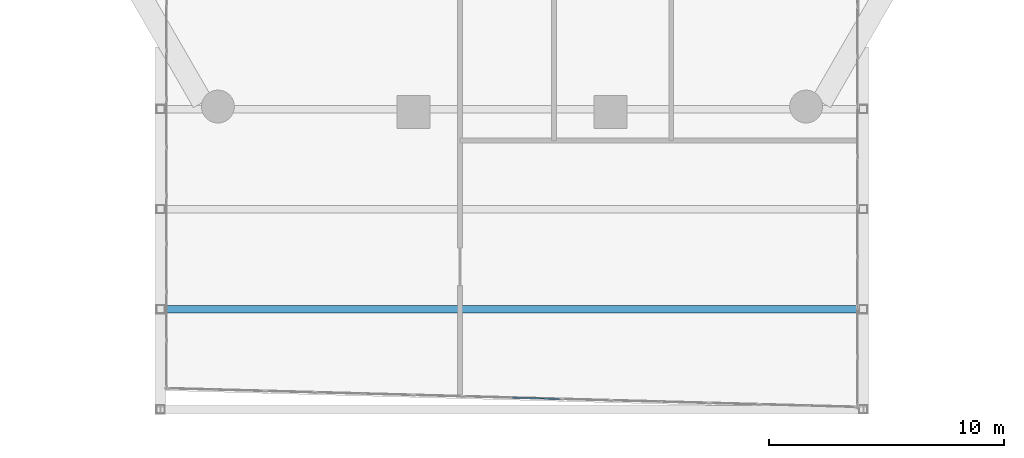
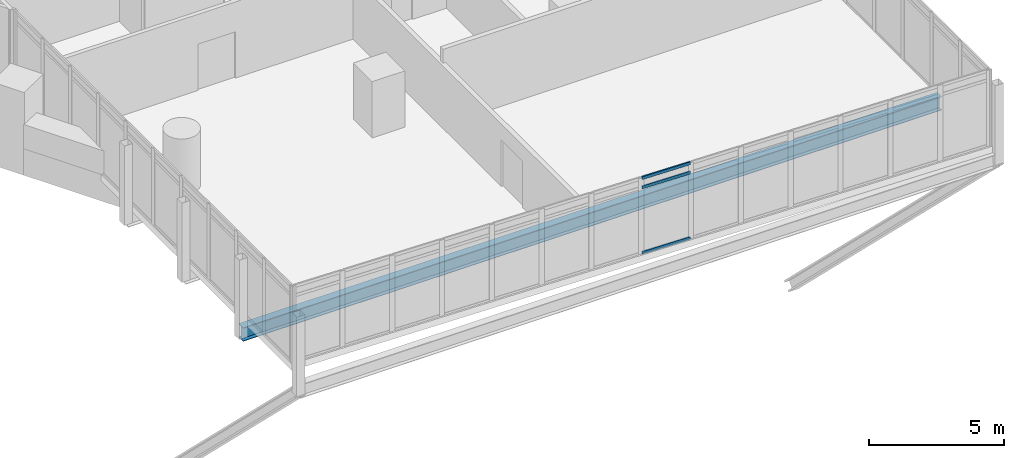
# One storey, part 8 of 38: 3 members, 1 beam, 1 element without a shape of its own.
"""IFC4 building model written with IfcOpenShell, lengths in metres."""

from ifc_helpers import new_model, si_unit, direction, frame, origin, origin_2d, place, context, subcontext, project, spatial, hollow_rectangle, i_section, extrude, material, material_profile, profile_set, type_object, element, aggregate, save


model = new_model("IFC4")

# Units and contexts
model_context = context("Model", 3, precision=1e-05, world=origin(), true_north=direction((0.0, 1.0)))
body_context = subcontext(model_context, "Body", "Model", "MODEL_VIEW")
ifc_project = project(units=[si_unit("LENGTHUNIT", "METRE"), si_unit("AREAUNIT", "SQUARE_METRE"), si_unit("VOLUMEUNIT", "CUBIC_METRE"), si_unit("PLANEANGLEUNIT", "RADIAN"), si_unit("MASSUNIT", "GRAM", prefix="KILO")], contexts=[model_context])

# Site, building, storey
site_placement = place(None, origin())
site = spatial("IfcSite", under=ifc_project, at=site_placement, CompositionType="ELEMENT")
building_placement = place(site_placement, origin())
building = spatial("IfcBuilding", under=site, at=building_placement, Name="Ostrander Bayou Hotel Tower", CompositionType="ELEMENT")
storey_placement = place(building_placement, frame((0.0, 0.0, 65.5)))
storey = spatial("IfcBuildingStorey", under=building, at=storey_placement, Name="L16", CompositionType="ELEMENT", Elevation=65.5)

# Curtain wall, members
ifc_material_1 = material(Name="Aluminium and clear glass", Category="aluminium")
curtain_wall_type = type_object("IfcCurtainWallType", Name="CW-BAR glazed wall", PredefinedType="NOTDEFINED", material=ifc_material_1)
curtain_wall_placement = place(storey_placement, origin())
curtain_wall = element("IfcCurtainWall", 1, at=curtain_wall_placement, inside=storey, type_object=curtain_wall_type, Name="CW-BAR L16:SB1S:T", PredefinedType="NOTDEFINED")
ifc_material_2 = material(Name="Aluminium", Category="aluminium")
ifc_material_profile_1 = material_profile(ifc_material_2, hollow_rectangle(XDim=0.06005859375, YDim=0.1298828125, WallThickness=0.00390625, at=origin_2d()))
ifc_profile_set_1 = profile_set([ifc_material_profile_1], Name="Aluminium")
member_type = type_object("IfcMemberType", Name="CW-BR transom 60 x 130 mm", PredefinedType="USERDEFINED", material=ifc_profile_set_1)
member_1_placement = place(storey_placement, frame((0.030029296875, -32.450927734375, 0.030029296875), z_axis=(0.999635057116, -0.027013933147, 0.0), x_axis=(0.027013933147, 0.999635057116, 0.0)))
member_1 = element("IfcMember", 2, at=member_1_placement, type_object=member_type, Name="CW-BAR transom 8.1", ObjectType="TRANSOM", PredefinedType="USERDEFINED", context=body_context, shape_type="SweptSolid", body=[
    extrude(hollow_rectangle(XDim=0.06005859375, YDim=0.1298828125, WallThickness=0.00390625, at=origin_2d()), origin(), (0.0, 0.0, 1.0), 2.04248046875),
])
member_2_placement = place(storey_placement, frame((0.030029296875, -32.450927734375, 3.0), z_axis=(0.999635057116, -0.027013933147, 0.0), x_axis=(0.027013933147, 0.999635057116, 0.0)))
member_2 = element("IfcMember", 3, at=member_2_placement, type_object=member_type, Name="CW-BAR transom 8.2", ObjectType="TRANSOM", PredefinedType="USERDEFINED", context=body_context, shape_type="SweptSolid", body=[
    extrude(hollow_rectangle(XDim=0.06005859375, YDim=0.1298828125, WallThickness=0.00390625, at=origin_2d()), origin(), (0.0, 0.0, 1.0), 2.04248046875),
])
member_3_placement = place(storey_placement, frame((0.030029296875, -32.450927734375, 3.419921875), z_axis=(0.999635057116, -0.027013933147, 0.0), x_axis=(0.027013933147, 0.999635057116, 0.0)))
member_3 = element("IfcMember", 4, at=member_3_placement, type_object=member_type, Name="CW-BAR transom 8.3", ObjectType="TRANSOM", PredefinedType="USERDEFINED", context=body_context, shape_type="SweptSolid", body=[
    extrude(hollow_rectangle(XDim=0.06005859375, YDim=0.1298828125, WallThickness=0.00390625, at=origin_2d()), origin(), (0.0, 0.0, 1.0), 2.04248046875),
])
aggregate(curtain_wall, [member_1, member_2, member_3])

# Beam
ifc_material_3 = material(Name="Steel ASTM A992", Category="steel")
ifc_material_profile_2 = material_profile(ifc_material_3, i_section(OverallWidth=0.32763671875, OverallDepth=0.621826171875, WebThickness=0.015380859375, FlangeThickness=0.0244140625, at=origin_2d()))
ifc_profile_set_2 = profile_set([ifc_material_profile_2], Name="Steel ASTM A992")
beam_type = type_object("IfcBeamType", Name="TF1 bar floor beam W24x131", PredefinedType="BEAM", material=ifc_profile_set_2)
beam_placement = place(storey_placement, frame((-14.965087890625, -28.6875, -0.61083984375), z_axis=(1.0, 0.0, 0.0), x_axis=(0.0, 1.0, 0.0)))
element("IfcBeam", 5, at=beam_placement, inside=storey, type_object=beam_type, Name="TF1 SB1S L1-3", PredefinedType="BEAM", context=body_context, shape_type="SweptSolid", body=[
    extrude(i_section(OverallWidth=0.32763671875, OverallDepth=0.621826171875, WebThickness=0.015380859375, FlangeThickness=0.0244140625, at=origin_2d()), origin(), (0.0, 0.0, 1.0), 29.93017578125),
])

save(model, "model.ifc")
